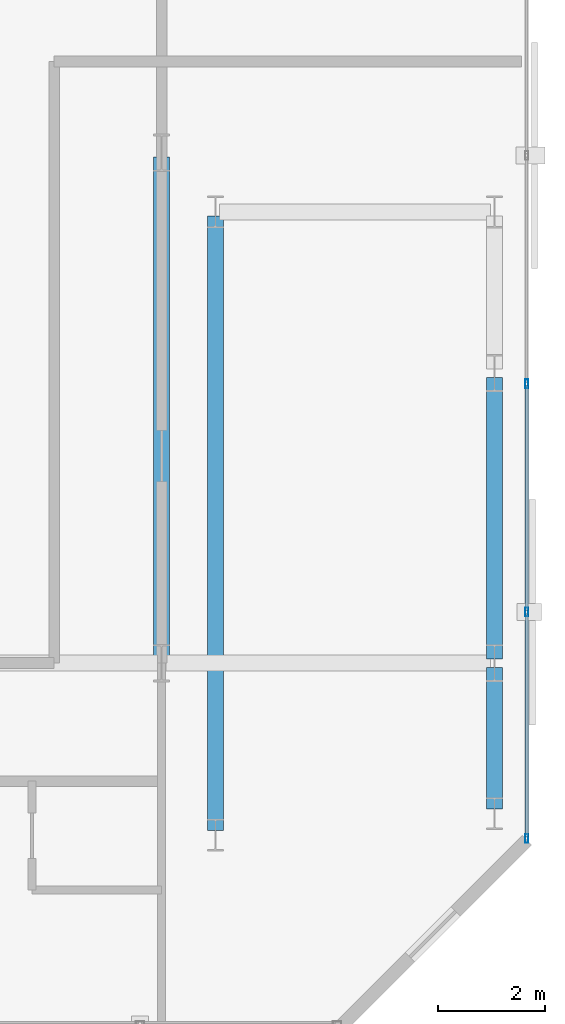
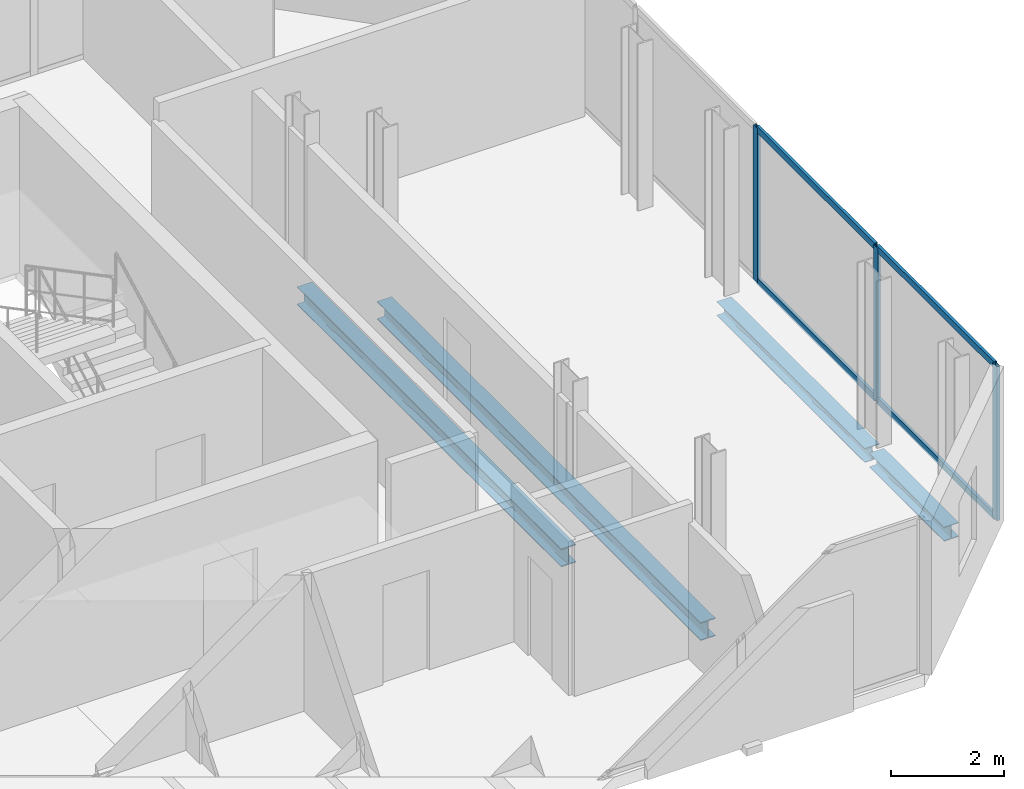
# One storey, part 16 of 32: 7 members, 4 beams, 1 element without a shape of its own.
"""IFC4 building model written with IfcOpenShell, lengths in metres."""

from ifc_helpers import new_model, si_unit, direction, frame, origin, origin_2d, place, context, subcontext, project, spatial, hollow_rectangle, i_section, extrude, material, layer, layer_set, material_profile, profile_set, type_object, element, aggregate, save


model = new_model("IFC4")

# Units and contexts
model_context = context("Model", 3, precision=1e-05, world=origin(), true_north=direction((0.0, 1.0)))
body_context = subcontext(model_context, "Body", "Model", "MODEL_VIEW")
ifc_project = project(units=[si_unit("LENGTHUNIT", "METRE"), si_unit("AREAUNIT", "SQUARE_METRE"), si_unit("VOLUMEUNIT", "CUBIC_METRE"), si_unit("PLANEANGLEUNIT", "RADIAN"), si_unit("MASSUNIT", "GRAM", prefix="KILO")], contexts=[model_context])

# Site, building, storey
site_placement = place(None, origin())
site = spatial("IfcSite", under=ifc_project, at=site_placement, CompositionType="ELEMENT")
building_placement = place(site_placement, origin())
building = spatial("IfcBuilding", under=site, at=building_placement, Name="Catumbela Crestline Tower", CompositionType="ELEMENT")
storey_placement = place(building_placement, frame((0.0, 0.0, 136.8)))
storey = spatial("IfcBuildingStorey", under=building, at=storey_placement, Name="L35", CompositionType="ELEMENT", Elevation=136.8)

# Beams
ifc_material_1 = material(Name="Structural steel S355J2", Category="steel")
ifc_material_profile_1 = material_profile(ifc_material_1, i_section(OverallWidth=0.3, OverallDepth=0.39, WebThickness=0.011, FlangeThickness=0.019, FilletRadius=0.027, at=origin_2d()), Name="HEA 400")
ifc_profile_set_1 = profile_set([ifc_material_profile_1], Name="Structural steel S355J2")
beam_type_1 = type_object("IfcBeamType", Name="BG-HEA400", PredefinedType="BEAM", material=ifc_profile_set_1)
beam_1_placement = place(storey_placement, frame((44.2, 30.88, -0.455), z_axis=(0.0, 1.0, 0.0), x_axis=(-1.0, 0.0, 0.0)))
element("IfcBeam", 1, at=beam_1_placement, inside=storey, type_object=beam_type_1, Name="L35 Beam BM-L35-SN32", PredefinedType="BEAM", context=body_context, shape_type="SweptSolid", body=[
    extrude(i_section(OverallWidth=0.3, OverallDepth=0.39, WebThickness=0.011, FlangeThickness=0.019, FilletRadius=0.027, at=origin_2d()), origin(), (0.0, 0.0, 1.0), 9.34),
])
beam_2_placement = place(storey_placement, frame((45.2, 27.68, -0.455), z_axis=(0.0, 1.0, 0.0), x_axis=(-1.0, 0.0, 0.0)))
element("IfcBeam", 2, at=beam_2_placement, inside=storey, type_object=beam_type_1, Name="L35 Beam BM-L35-SN33", PredefinedType="BEAM", context=body_context, shape_type="SweptSolid", body=[
    extrude(i_section(OverallWidth=0.3, OverallDepth=0.39, WebThickness=0.011, FlangeThickness=0.019, FilletRadius=0.027, at=origin_2d()), origin(), (0.0, 0.0, 1.0), 11.44),
])

# Curtain wall, members
ifc_material_2 = material(Name="Aluminium alloy AW-6060-T66", Category="aluminium")
ifc_layer = layer(ifc_material_2, 0.18, Name="Aluminium alloy AW-6060-T66")
ifc_layer_set = layer_set([ifc_layer], Name="Aluminium alloy AW-6060-T66")
curtain_wall_type = type_object("IfcCurtainWallType", Name="CWU-Z2", PredefinedType="USERDEFINED", material=ifc_layer_set)
curtain_wall_placement = place(storey_placement, origin())
curtain_wall = element("IfcCurtainWall", 3, at=curtain_wall_placement, inside=storey, type_object=curtain_wall_type, Name="L35 Unitised Curtain Wall CW-L35-E5S1", ObjectType="UNITISED", PredefinedType="USERDEFINED")
ifc_material_profile_2 = material_profile(ifc_material_2, hollow_rectangle(XDim=0.06, YDim=0.16, WallThickness=0.004, at=origin_2d()), Name="ALU 160x60x4")
ifc_profile_set_2 = profile_set([ifc_material_profile_2], Name="Aluminium alloy AW-6060-T66")
member_type_1 = type_object("IfcMemberType", Name="MUL-160X60", PredefinedType="MULLION", material=ifc_profile_set_2)
member_1_placement = place(storey_placement, frame((51.0, 27.5325, 0.0), z_axis=(0.0, 0.0, 1.0), x_axis=(-1.0, 0.0, 0.0)))
member_1 = element("IfcMember", 4, at=member_1_placement, type_object=member_type_1, Name="CWU-Z2 mullion 1", PredefinedType="MULLION", context=body_context, shape_type="SweptSolid", body=[
    extrude(hollow_rectangle(XDim=0.06, YDim=0.16, WallThickness=0.004, at=origin_2d()), origin(), (0.0, 0.0, 1.0), 3.33),
])
member_2_placement = place(storey_placement, frame((51.0, 31.75, 0.0), z_axis=(0.0, 0.0, 1.0), x_axis=(-1.0, 0.0, 0.0)))
member_2 = element("IfcMember", 5, at=member_2_placement, type_object=member_type_1, Name="CWU-Z2 mullion 2", PredefinedType="MULLION", context=body_context, shape_type="SweptSolid", body=[
    extrude(hollow_rectangle(XDim=0.06, YDim=0.16, WallThickness=0.004, at=origin_2d()), origin(), (0.0, 0.0, 1.0), 3.33),
])
member_3_placement = place(storey_placement, frame((51.0, 36.0, 0.0), z_axis=(0.0, 0.0, 1.0), x_axis=(-1.0, 0.0, 0.0)))
member_3 = element("IfcMember", 6, at=member_3_placement, type_object=member_type_1, Name="CWU-Z2 mullion 3", PredefinedType="MULLION", context=body_context, shape_type="SweptSolid", body=[
    extrude(hollow_rectangle(XDim=0.06, YDim=0.16, WallThickness=0.004, at=origin_2d()), origin(), (0.0, 0.0, 1.0), 3.33),
])

# Beams
ifc_material_profile_3 = material_profile(ifc_material_1, i_section(OverallWidth=0.3, OverallDepth=0.31, WebThickness=0.009, FlangeThickness=0.0155, FilletRadius=0.027, at=origin_2d()), Name="HEA 320")
ifc_profile_set_3 = profile_set([ifc_material_profile_3], Name="Structural steel S355J2")
beam_type_2 = type_object("IfcBeamType", Name="BS-HEA320", PredefinedType="SPANDREL", material=ifc_profile_set_3)
beam_3_placement = place(storey_placement, frame((50.4, 28.08, -0.415), z_axis=(0.0, 1.0, 0.0), x_axis=(-1.0, 0.0, 0.0)))
element("IfcBeam", 7, at=beam_3_placement, inside=storey, type_object=beam_type_2, Name="L35 Spandrel SP-L35-SN34", PredefinedType="SPANDREL", context=body_context, shape_type="SweptSolid", body=[
    extrude(i_section(OverallWidth=0.3, OverallDepth=0.31, WebThickness=0.009, FlangeThickness=0.0155, FilletRadius=0.027, at=origin_2d()), origin(), (0.0, 0.0, 1.0), 2.64),
])
beam_4_placement = place(storey_placement, frame((50.4, 30.88, -0.415), z_axis=(0.0, 1.0, 0.0), x_axis=(-1.0, 0.0, 0.0)))
element("IfcBeam", 8, at=beam_4_placement, inside=storey, type_object=beam_type_2, Name="L35 Spandrel SP-L35-SN35", PredefinedType="SPANDREL", context=body_context, shape_type="SweptSolid", body=[
    extrude(i_section(OverallWidth=0.3, OverallDepth=0.31, WebThickness=0.009, FlangeThickness=0.0155, FilletRadius=0.027, at=origin_2d()), origin(), (0.0, 0.0, 1.0), 5.24),
])

# Member
ifc_material_profile_4 = material_profile(ifc_material_2, hollow_rectangle(XDim=0.06, YDim=0.14, WallThickness=0.004, at=origin_2d()), Name="ALU 140x60x4")
ifc_profile_set_4 = profile_set([ifc_material_profile_4], Name="Aluminium alloy AW-6060-T66")
member_type_2 = type_object("IfcMemberType", Name="TRN-140X60", PredefinedType="USERDEFINED", material=ifc_profile_set_4)
member_4_placement = place(storey_placement, frame((51.0, 27.565, 0.03), z_axis=(0.0, 1.0, 0.0), x_axis=(-1.0, 0.0, 0.0)))
member_4 = element("IfcMember", 9, at=member_4_placement, type_object=member_type_2, Name="CWU-Z2 transom 1.1", ObjectType="TRANSOM", PredefinedType="USERDEFINED", context=body_context, shape_type="SweptSolid", body=[
    extrude(hollow_rectangle(XDim=0.06, YDim=0.14, WallThickness=0.004, at=origin_2d()), origin(), (0.0, 0.0, 1.0), 4.1525),
])

member_5_placement = place(storey_placement, frame((51.0, 27.565, 3.3), z_axis=(0.0, 1.0, 0.0), x_axis=(-1.0, 0.0, 0.0)))
member_5 = element("IfcMember", 10, at=member_5_placement, type_object=member_type_2, Name="CWU-Z2 transom 1.2", ObjectType="TRANSOM", PredefinedType="USERDEFINED", context=body_context, shape_type="SweptSolid", body=[
    extrude(hollow_rectangle(XDim=0.06, YDim=0.14, WallThickness=0.004, at=origin_2d()), origin(), (0.0, 0.0, 1.0), 4.1525),
])

member_6_placement = place(storey_placement, frame((51.0, 31.7825, 0.03), z_axis=(0.0, 1.0, 0.0), x_axis=(-1.0, 0.0, 0.0)))
member_6 = element("IfcMember", 11, at=member_6_placement, type_object=member_type_2, Name="CWU-Z2 transom 2.1", ObjectType="TRANSOM", PredefinedType="USERDEFINED", context=body_context, shape_type="SweptSolid", body=[
    extrude(hollow_rectangle(XDim=0.06, YDim=0.14, WallThickness=0.004, at=origin_2d()), origin(), (0.0, 0.0, 1.0), 4.185),
])

member_7_placement = place(storey_placement, frame((51.0, 31.7825, 3.3), z_axis=(0.0, 1.0, 0.0), x_axis=(-1.0, 0.0, 0.0)))
member_7 = element("IfcMember", 12, at=member_7_placement, type_object=member_type_2, Name="CWU-Z2 transom 2.2", ObjectType="TRANSOM", PredefinedType="USERDEFINED", context=body_context, shape_type="SweptSolid", body=[
    extrude(hollow_rectangle(XDim=0.06, YDim=0.14, WallThickness=0.004, at=origin_2d()), origin(), (0.0, 0.0, 1.0), 4.185),
])

aggregate(curtain_wall, [member_1, member_2, member_3, member_4, member_5, member_6, member_7])

save(model, "model.ifc")
